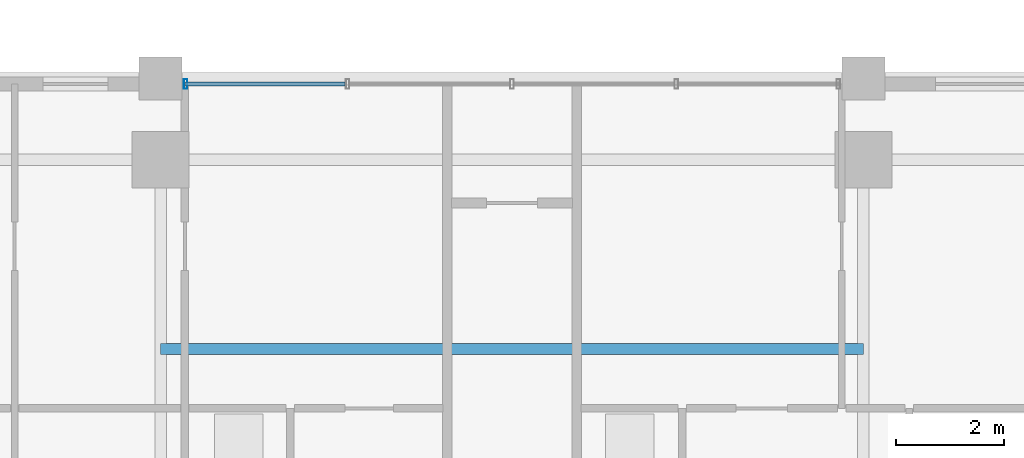
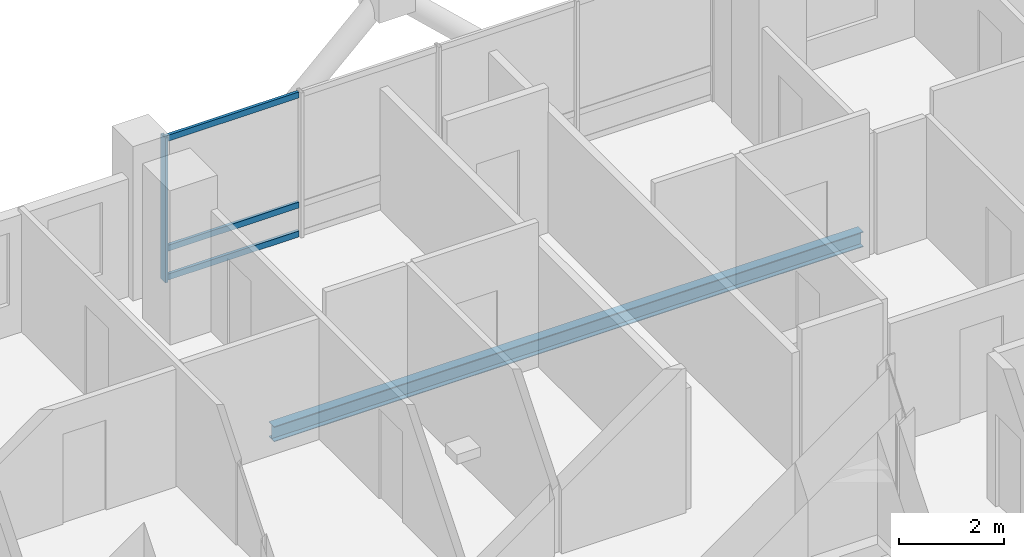
# One storey, part 13 of 24: 4 members, 1 beam, 1 element without a shape of its own.
"""IFC4 building model written with IfcOpenShell, lengths in metres."""

from ifc_helpers import new_model, si_unit, direction, frame, origin, origin_2d, place, context, subcontext, project, spatial, hollow_rectangle, i_section, extrude, material, layer, layer_set, material_profile, profile_set, type_object, element, aggregate, save


model = new_model("IFC4")

# Units and contexts
model_context = context("Model", 3, precision=1e-05, world=origin(), true_north=direction((0.0, 1.0)))
body_context = subcontext(model_context, "Body", "Model", "MODEL_VIEW")
ifc_project = project(units=[si_unit("LENGTHUNIT", "METRE"), si_unit("AREAUNIT", "SQUARE_METRE"), si_unit("VOLUMEUNIT", "CUBIC_METRE"), si_unit("PLANEANGLEUNIT", "RADIAN"), si_unit("MASSUNIT", "GRAM", prefix="KILO")], contexts=[model_context])

# Site, building, storey
site_placement = place(None, origin())
site = spatial("IfcSite", under=ifc_project, at=site_placement, CompositionType="ELEMENT")
building_placement = place(site_placement, origin())
building = spatial("IfcBuilding", under=site, at=building_placement, Name="Barlavira Tower and Art Museum", CompositionType="ELEMENT")
storey_placement = place(building_placement, frame((0.0, 0.0, 194.39990234375)))
storey = spatial("IfcBuildingStorey", under=building, at=storey_placement, Name="L50", CompositionType="ELEMENT", Elevation=194.39990234375)

# Curtain wall, members
ifc_material_1 = material(Name="Low-iron coastal laminated glass", Category="glass")
ifc_layer = layer(ifc_material_1, 0.199951171875, Name="Low-iron coastal laminated glass")
ifc_layer_set = layer_set([ifc_layer], Name="Low-iron coastal laminated glass")
curtain_wall_type = type_object("IfcCurtainWallType", Name="Pale-Metal Unitised Curtain Wall Zone 3", PredefinedType="NOTDEFINED", material=ifc_layer_set)
curtain_wall_placement = place(storey_placement, origin())
curtain_wall = element("IfcCurtainWall", 1, at=curtain_wall_placement, inside=storey, type_object=curtain_wall_type, Name="L50 Curtain Wall CW3-L50-N-B3", PredefinedType="NOTDEFINED")
ifc_material_2 = material(Name="Pale anodised aluminium", Category="aluminium")
ifc_material_profile_1 = material_profile(ifc_material_2, hollow_rectangle(XDim=0.06494140625, YDim=0.179931640625, WallThickness=0.00390625, at=origin_2d()), Name="ALU-MULL 65x180x4")
ifc_profile_set_1 = profile_set([ifc_material_profile_1], Name="Pale anodised aluminium")
member_type_1 = type_object("IfcMemberType", Name="Curtain Wall Pale-Metal Mullion 65x180", PredefinedType="MULLION", material=ifc_profile_set_1)
member_1_placement = place(storey_placement, frame((-6.034912109375, 21.39990234375, 0.0), z_axis=(0.0, 0.0, 1.0), x_axis=(-1.0, 0.0, 0.0)))
member_1 = element("IfcMember", 2, at=member_1_placement, type_object=member_type_1, Name="CW3-L50-N-B3 Mullion 4", PredefinedType="MULLION", context=body_context, shape_type="SweptSolid", body=[
    extrude(hollow_rectangle(XDim=0.06494140625, YDim=0.179931640625, WallThickness=0.00390625, at=origin_2d()), origin(), (0.0, 0.0, 1.0), 3.380126953125),
])
ifc_material_profile_2 = material_profile(ifc_material_2, hollow_rectangle(XDim=0.06494140625, YDim=0.139892578125, WallThickness=0.00390625, at=origin_2d()), Name="ALU-TRAN 65x140x4")
ifc_profile_set_2 = profile_set([ifc_material_profile_2], Name="Pale anodised aluminium")
member_type_2 = type_object("IfcMemberType", Name="Curtain Wall Pale-Metal Transom 65x140", PredefinedType="USERDEFINED", material=ifc_profile_set_2)
member_2_placement = place(storey_placement, frame((-3.0849609375, 21.39990234375, 0.070068359375), z_axis=(-1.0, 0.0, 0.0), x_axis=(0.0, -1.0, 0.0)))
member_2 = element("IfcMember", 3, at=member_2_placement, type_object=member_type_2, Name="CW3-L50-N-B3 Transom 3.1", ObjectType="TRANSOM", PredefinedType="USERDEFINED", context=body_context, shape_type="SweptSolid", body=[
    extrude(hollow_rectangle(XDim=0.06494140625, YDim=0.139892578125, WallThickness=0.00390625, at=origin_2d()), origin(), (0.0, 0.0, 1.0), 2.949951171875),
])
member_3_placement = place(storey_placement, frame((-3.0849609375, 21.39990234375, 0.744140625), z_axis=(-1.0, 0.0, 0.0), x_axis=(0.0, -1.0, 0.0)))
member_3 = element("IfcMember", 4, at=member_3_placement, type_object=member_type_2, Name="CW3-L50-N-B3 Transom 3.2", ObjectType="TRANSOM", PredefinedType="USERDEFINED", context=body_context, shape_type="SweptSolid", body=[
    extrude(hollow_rectangle(XDim=0.06494140625, YDim=0.139892578125, WallThickness=0.00390625, at=origin_2d()), origin(), (0.0, 0.0, 1.0), 2.949951171875),
])
member_4_placement = place(storey_placement, frame((-3.0849609375, 21.39990234375, 3.31005859375), z_axis=(-1.0, 0.0, 0.0), x_axis=(0.0, -1.0, 0.0)))
member_4 = element("IfcMember", 5, at=member_4_placement, type_object=member_type_2, Name="CW3-L50-N-B3 Transom 3.3", ObjectType="TRANSOM", PredefinedType="USERDEFINED", context=body_context, shape_type="SweptSolid", body=[
    extrude(hollow_rectangle(XDim=0.06494140625, YDim=0.139892578125, WallThickness=0.00390625, at=origin_2d()), origin(), (0.0, 0.0, 1.0), 2.949951171875),
])
aggregate(curtain_wall, [member_1, member_2, member_3, member_4])

# Beam
ifc_material_3 = material(Name="Steel S355", Category="steel")
ifc_material_profile_3 = material_profile(ifc_material_3, i_section(OverallWidth=0.205078125, OverallDepth=0.35400390625, WebThickness=0.009521484375, FlangeThickness=0.016845703125, at=origin_2d()), Name="W360x79.0")
ifc_profile_set_3 = profile_set([ifc_material_profile_3], Name="Steel S355")
beam_type = type_object("IfcBeamType", Name="Zone 3 Composite Floor Joist W360x79 Steel S355", PredefinedType="JOIST", material=ifc_profile_set_3)
beam_placement = place(storey_placement, frame((-6.5, 16.5, -0.39697265625), z_axis=(1.0, 0.0, 0.0), x_axis=(0.0, 1.0, 0.0)))
element("IfcBeam", 6, at=beam_placement, inside=storey, type_object=beam_type, Name="L50 Joist C2", PredefinedType="JOIST", context=body_context, shape_type="SweptSolid", body=[
    extrude(i_section(OverallWidth=0.205078125, OverallDepth=0.35400390625, WebThickness=0.009521484375, FlangeThickness=0.016845703125, at=origin_2d()), origin(), (0.0, 0.0, 1.0), 13.0),
])

save(model, "model.ifc")
